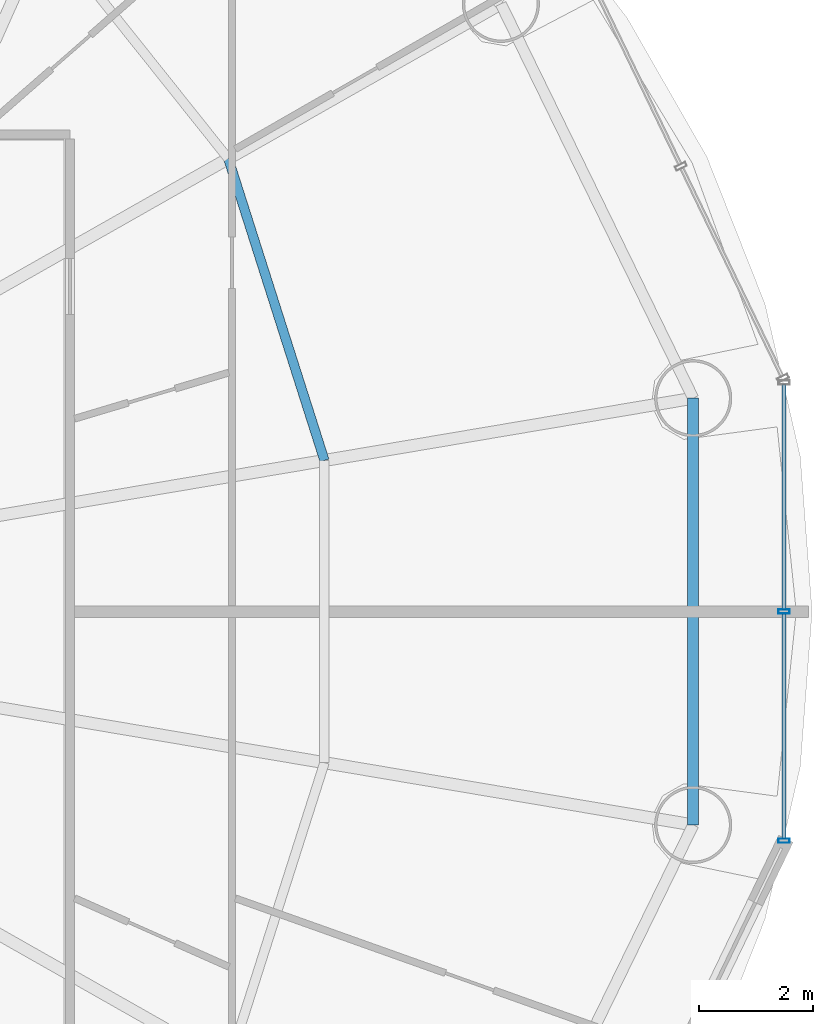
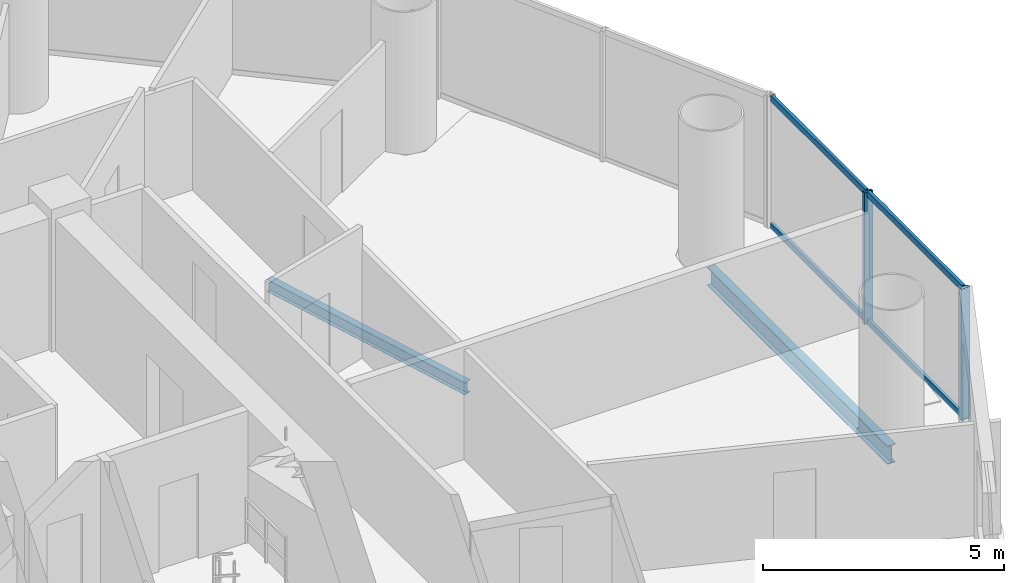
# One storey, part 12 of 27: 6 members, 2 beams, 1 element without a shape of its own.
"""IFC4 building model written with IfcOpenShell, lengths in metres."""

from ifc_helpers import new_model, si_unit, direction, frame, origin, origin_2d, place, context, subcontext, project, spatial, hollow_rectangle, i_section, extrude, source, transform, mapped, material, material_profile, profile_set, type_object, element, aggregate, save


model = new_model("IFC4")

# Units and contexts
model_context = context("Model", 3, precision=1e-05, world=origin(), true_north=direction((-0.2419218956, 0.970295726276)))
body_context = subcontext(model_context, "Body", "Model", "MODEL_VIEW")
ifc_project = project(units=[si_unit("LENGTHUNIT", "METRE"), si_unit("AREAUNIT", "SQUARE_METRE"), si_unit("VOLUMEUNIT", "CUBIC_METRE"), si_unit("PLANEANGLEUNIT", "RADIAN"), si_unit("MASSUNIT", "GRAM", prefix="KILO")], contexts=[model_context])

# Site, building, storey
site_placement = place(None, origin())
site = spatial("IfcSite", under=ifc_project, at=site_placement, CompositionType="ELEMENT")
building_placement = place(site_placement, origin())
building = spatial("IfcBuilding", under=site, at=building_placement, Name="Cobrevalo Terracotta Tower", CompositionType="ELEMENT")
storey_placement = place(building_placement, frame((0.0, 0.0, 160.60009765625)))
storey = spatial("IfcBuildingStorey", under=building, at=storey_placement, Name="L42", CompositionType="ELEMENT", Elevation=160.60009765625)

# Beams
ifc_material_1 = material(Name="Steel S355", Category="steel")
ifc_material_profile_1 = material_profile(ifc_material_1, i_section(OverallWidth=0.1650390625, OverallDepth=0.31005859375, WebThickness=0.005859375, FlangeThickness=0.009765625, at=origin_2d()), Name="W 310x38.7")
ifc_profile_set_1 = profile_set([ifc_material_profile_1], Name="Steel S355")
beam_type_1 = type_object("IfcBeamType", Name="Structural Joist W 310x38.7 (Steel S355)", PredefinedType="JOIST", material=ifc_profile_set_1)
beam_1_placement = place(storey_placement, frame((53.660888671875, 29.445556640625, -0.425048828125), z_axis=(-0.303497928386, 0.952832098255, 0.0), x_axis=(-0.952832098255, -0.303497928386, 0.0)))
element("IfcBeam", 1, at=beam_1_placement, inside=storey, type_object=beam_type_1, Name="L42 circumferential secondary floor joist 01", PredefinedType="JOIST", context=body_context, shape_type="SweptSolid", body=[
    extrude(i_section(OverallWidth=0.1650390625, OverallDepth=0.31005859375, WebThickness=0.005859375, FlangeThickness=0.009765625, at=origin_2d()), origin(), (0.0, 0.0, 1.0), 5.54736328125),
])
ifc_material_profile_2 = material_profile(ifc_material_1, i_section(OverallWidth=0.194091796875, OverallDepth=0.468994140625, WebThickness=0.011474609375, FlangeThickness=0.0205078125, at=origin_2d()), Name="W 460x106")
ifc_profile_set_2 = profile_set([ifc_material_profile_2], Name="Steel S355")
beam_type_2 = type_object("IfcBeamType", Name="Structural Spandrel W 460x106 (Steel S355)", PredefinedType="SPANDREL", material=ifc_profile_set_2)
beam_2_placement = place(storey_placement, frame((60.11669921875, 23.06396484375, -0.504638671875), z_axis=(0.0, 1.0, 0.0), x_axis=(-1.0, 0.0, 0.0)))
element("IfcBeam", 2, at=beam_2_placement, inside=storey, type_object=beam_type_2, Name="L42 perimeter ring spandrel 16", PredefinedType="SPANDREL", context=body_context, shape_type="SweptSolid", body=[
    extrude(i_section(OverallWidth=0.194091796875, OverallDepth=0.468994140625, WebThickness=0.011474609375, FlangeThickness=0.0205078125, at=origin_2d()), origin(), (0.0, 0.0, 1.0), 7.471923828125),
])

# Curtain wall, members
ifc_material_2 = material(Name="Anodized aluminium", Category="aluminium")
curtain_wall_type = type_object("IfcCurtainWallType", Name="Mid-tower high-wind unitised curtain wall CW-U2", PredefinedType="NOTDEFINED", material=ifc_material_2)
curtain_wall_placement = place(storey_placement, origin())
curtain_wall = element("IfcCurtainWall", 3, at=curtain_wall_placement, inside=storey, type_object=curtain_wall_type, Name="L42 curtain wall CW-L42-S16", PredefinedType="NOTDEFINED")
ifc_material_profile_3 = material_profile(ifc_material_2, hollow_rectangle(XDim=0.074951171875, YDim=0.14990234375, WallThickness=0.00439453125, at=origin_2d()), Name="CWT 75x150")
ifc_profile_set_3 = profile_set([ifc_material_profile_3], Name="Anodized aluminium")
member_type_1 = type_object("IfcMemberType", Name="Tower unitised aluminium transom 75x150", PredefinedType="USERDEFINED", material=ifc_profile_set_3)
shared_shape_1 = source(origin(), body_context, "Body", "SweptSolid", [
    extrude(hollow_rectangle(XDim=0.074951171875, YDim=0.14990234375, WallThickness=0.00439453125, at=origin_2d()), origin(), (0.0, 0.0, 1.0), 3.931884765625),
])
member_1_placement = place(storey_placement, frame((61.70556640625, 26.840087890625, 0.0498046875), z_axis=(0.0, 1.0, 0.0), x_axis=(-1.0, 0.0, 0.0)))
member_1 = element("IfcMember", 4, at=member_1_placement, type_object=member_type_1, Name="CW-L42-S16 transom B02-T1", ObjectType="TRANSOM", PredefinedType="USERDEFINED", context=body_context, shape_type="MappedRepresentation", body=[
    mapped(shared_shape_1, transform((0.0, 0.0, 0.0), scale=1.0)),
])
member_2_placement = place(storey_placement, frame((61.70556640625, 26.840087890625, 3.27978515625), z_axis=(0.0, 1.0, 0.0), x_axis=(-1.0, 0.0, 0.0)))
member_2 = element("IfcMember", 5, at=member_2_placement, type_object=member_type_1, Name="CW-L42-S16 transom B02-T2", ObjectType="TRANSOM", PredefinedType="USERDEFINED", context=body_context, shape_type="MappedRepresentation", body=[
    mapped(shared_shape_1, transform((0.0, 0.0, 0.0), scale=1.0)),
])
shared_shape_2 = source(origin(), body_context, "Body", "SweptSolid", [
    extrude(hollow_rectangle(XDim=0.074951171875, YDim=0.14990234375, WallThickness=0.00439453125, at=origin_2d()), origin(), (0.0, 0.0, 1.0), 3.93212890625),
])
member_3_placement = place(storey_placement, frame((61.70556640625, 22.827880859375, 0.0498046875), z_axis=(0.0, 1.0, 0.0), x_axis=(-1.0, 0.0, 0.0)))
member_3 = element("IfcMember", 6, at=member_3_placement, type_object=member_type_1, Name="CW-L42-S16 transom B01-T1", ObjectType="TRANSOM", PredefinedType="USERDEFINED", context=body_context, shape_type="MappedRepresentation", body=[
    mapped(shared_shape_2, transform((0.0, 0.0, 0.0), scale=1.0)),
])
member_4_placement = place(storey_placement, frame((61.70556640625, 22.827880859375, 3.27978515625), z_axis=(0.0, 1.0, 0.0), x_axis=(-1.0, 0.0, 0.0)))
member_4 = element("IfcMember", 7, at=member_4_placement, type_object=member_type_1, Name="CW-L42-S16 transom B01-T2", ObjectType="TRANSOM", PredefinedType="USERDEFINED", context=body_context, shape_type="MappedRepresentation", body=[
    mapped(shared_shape_2, transform((0.0, 0.0, 0.0), scale=1.0)),
])
ifc_material_profile_4 = material_profile(ifc_material_2, hollow_rectangle(XDim=0.074951171875, YDim=0.199951171875, WallThickness=0.0048828125, at=origin_2d()), Name="CWM 75x200")
ifc_profile_set_4 = profile_set([ifc_material_profile_4], Name="Anodized aluminium")
member_type_2 = type_object("IfcMemberType", Name="Lower/mid tower unitised mullion 75x200", PredefinedType="MULLION", material=ifc_profile_set_4)
shared_shape_3 = source(origin(), body_context, "Body", "SweptSolid", [
    extrude(hollow_rectangle(XDim=0.074951171875, YDim=0.199951171875, WallThickness=0.0048828125, at=origin_2d()), origin(), (0.0, 0.0, 1.0), 3.329833984375),
])
member_5_placement = place(storey_placement, frame((61.70556640625, 22.7880859375, 0.0), z_axis=(0.0, 0.0, 1.0), x_axis=(0.0, 1.0, 0.0)))
member_5 = element("IfcMember", 8, at=member_5_placement, type_object=member_type_2, Name="CW-L42-S16 vertical mullion 01", PredefinedType="MULLION", context=body_context, shape_type="MappedRepresentation", body=[
    mapped(shared_shape_3, transform((0.0, 0.0, 0.0), scale=1.0)),
])
member_6_placement = place(storey_placement, frame((61.70556640625, 26.800048828125, 0.0), z_axis=(0.0, 0.0, 1.0), x_axis=(0.0, 1.0, 0.0)))
member_6 = element("IfcMember", 9, at=member_6_placement, type_object=member_type_2, Name="CW-L42-S16 vertical mullion 02", PredefinedType="MULLION", context=body_context, shape_type="MappedRepresentation", body=[
    mapped(shared_shape_3, transform((0.0, 0.0, 0.0), scale=1.0)),
])
aggregate(curtain_wall, [member_5, member_6, member_3, member_4, member_1, member_2])

save(model, "model.ifc")
